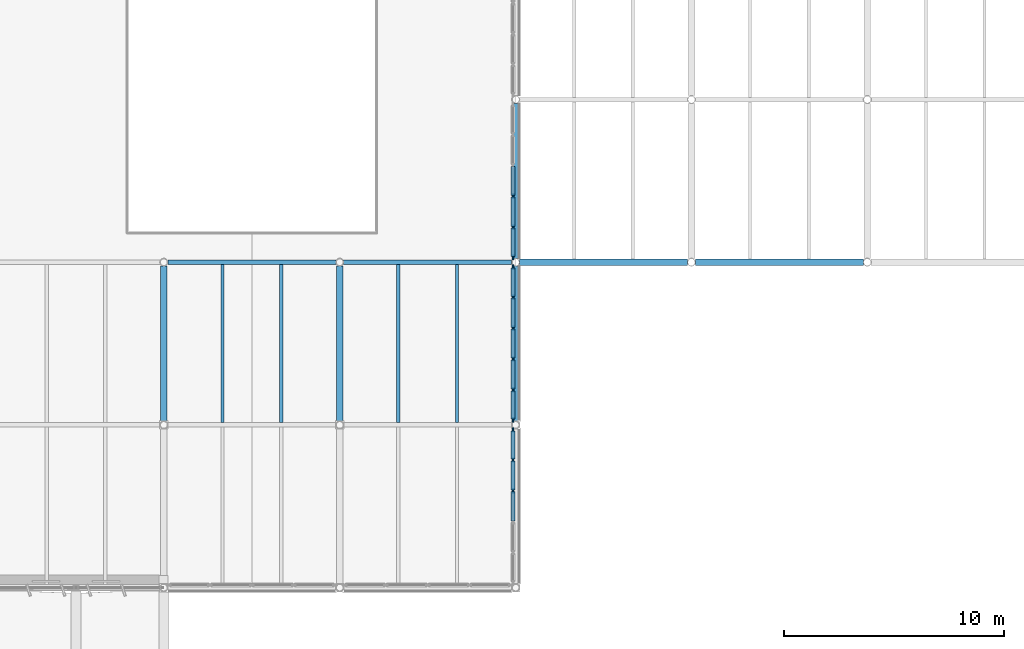
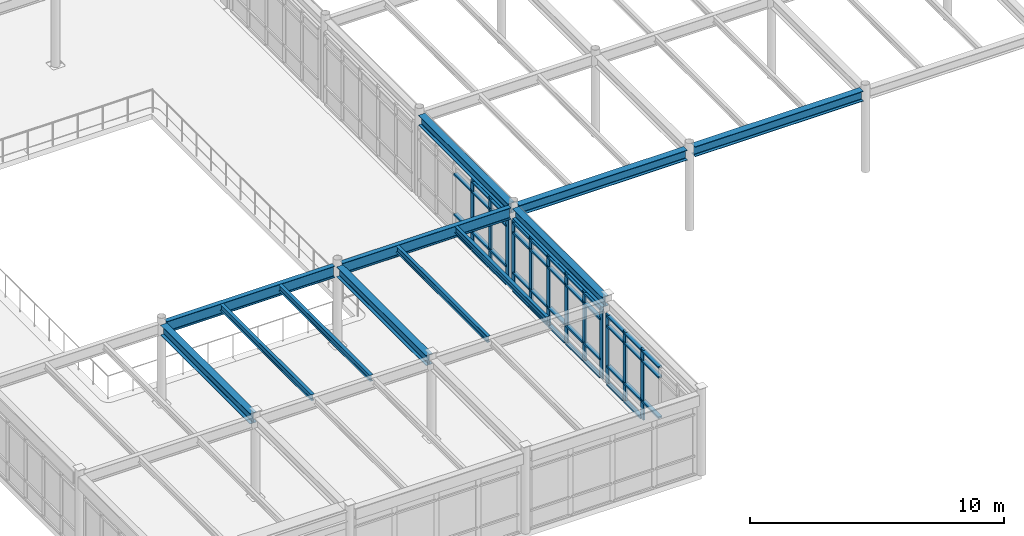
# One storey, part 22 of 63: 54 members, 12 beams, 3 elements without a shape of their own.
"""IFC4 building model written with IfcOpenShell, lengths in metres."""

from ifc_helpers import new_model, si_unit, direction, frame, origin, origin_2d, place, context, subcontext, project, spatial, rectangle, i_section, extrude, material, layer, layer_set, material_profile, profile_set, type_object, element, aggregate, save


model = new_model("IFC4")

# Units and contexts
model_context = context("Model", 3, precision=1e-05, world=origin(), true_north=direction((0.0, 1.0)))
body_context = subcontext(model_context, "Body", "Model", "MODEL_VIEW")
ifc_project = project(units=[si_unit("LENGTHUNIT", "METRE"), si_unit("AREAUNIT", "SQUARE_METRE"), si_unit("VOLUMEUNIT", "CUBIC_METRE"), si_unit("PLANEANGLEUNIT", "RADIAN"), si_unit("MASSUNIT", "GRAM", prefix="KILO")], contexts=[model_context])

# Site, building, storey
site_placement = place(None, origin())
site = spatial("IfcSite", under=ifc_project, at=site_placement, CompositionType="ELEMENT")
building_placement = place(site_placement, origin())
building = spatial("IfcBuilding", under=site, at=building_placement, Name="Valkorina Park Police Headquarters", CompositionType="ELEMENT")
storey_placement = place(building_placement, frame((0.0, 0.0, 9.89990234375)))
storey = spatial("IfcBuildingStorey", under=building, at=storey_placement, Name="L03", CompositionType="ELEMENT", Elevation=9.89990234375)

# Beams
ifc_material_1 = material(Name="Steel S355", Category="steel")
ifc_material_profile_1 = material_profile(ifc_material_1, i_section(OverallWidth=0.300048828125, OverallDepth=0.489990234375, WebThickness=0.011962890625, FlangeThickness=0.02294921875, FilletRadius=0.027099609375, at=origin_2d()), Name="HEA 500")
ifc_profile_set_1 = profile_set([ifc_material_profile_1], Name="Steel S355")
beam_type_1 = type_object("IfcBeamType", Name="BM-S355-HEA500-BM", PredefinedType="BEAM", material=ifc_profile_set_1)
for number, where, z_axis, x_axis, name in (
    (1, (64.800048828125, 29.77783203125, 3.675048828125), (0.0, 1.0, 0.0), (-1.0, 0.0, 0.0), "L03 Framing Beam 2014"),
    (2, (72.800048828125, 29.77783203125, 3.675048828125), (0.0, 1.0, 0.0), (-1.0, 0.0, 0.0), "L03 Framing Beam 2029"),
    (3, (80.800048828125, 37.177734375, 3.675048828125), (0.0, 1.0, 0.0), (-1.0, 0.0, 0.0), "L03 Framing Beam 2043"),
):
    element("IfcBeam", number, at=place(storey_placement, frame(where, z_axis=z_axis, x_axis=x_axis)), inside=storey, type_object=beam_type_1, Name=name, PredefinedType="BEAM", context=body_context, shape_type="SweptSolid", body=[
        extrude(i_section(OverallWidth=0.300048828125, OverallDepth=0.489990234375, WebThickness=0.011962890625, FlangeThickness=0.02294921875, FilletRadius=0.027099609375, at=origin_2d()), origin(), (0.0, 0.0, 1.0), 7.04443359375),
    ])
ifc_material_profile_2 = material_profile(ifc_material_1, i_section(OverallWidth=0.300048828125, OverallDepth=0.489990234375, WebThickness=0.011962890625, FlangeThickness=0.02294921875, FilletRadius=0.027099609375, at=origin_2d()), Name="HEA 500")
ifc_profile_set_2 = profile_set([ifc_material_profile_2], Name="Steel S355")
beam_type_2 = type_object("IfcBeamType", Name="BM-S355-HEA500-SPN", PredefinedType="SPANDREL", material=ifc_profile_set_2)
for number, where, z_axis, x_axis, name in (
    (4, (80.977783203125, 37.0, 3.675048828125), (1.0, 0.0, 0.0), (0.0, 1.0, 0.0), "L03 Framing Beam 1862"),
    (5, (88.977783203125, 37.0, 3.710205078125), (1.0, 0.0, 0.0), (0.0, 1.0, 0.0), "L03 Framing Beam 1863"),
):
    element("IfcBeam", number, at=place(storey_placement, frame(where, z_axis=z_axis, x_axis=x_axis)), inside=storey, type_object=beam_type_2, Name=name, PredefinedType="SPANDREL", context=body_context, shape_type="SweptSolid", body=[
        extrude(i_section(OverallWidth=0.300048828125, OverallDepth=0.489990234375, WebThickness=0.011962890625, FlangeThickness=0.02294921875, FilletRadius=0.027099609375, at=origin_2d()), origin(), (0.0, 0.0, 1.0), 7.64453125),
    ])
beam_placement = place(storey_placement, frame((80.800048828125, 29.77783203125, 3.675048828125), z_axis=(0.0, 1.0, 0.0), x_axis=(-1.0, 0.0, 0.0)))
element("IfcBeam", 6, at=beam_placement, inside=storey, type_object=beam_type_2, Name="L03 Framing Beam 2042", PredefinedType="SPANDREL", context=body_context, shape_type="SweptSolid", body=[
    extrude(i_section(OverallWidth=0.300048828125, OverallDepth=0.489990234375, WebThickness=0.011962890625, FlangeThickness=0.02294921875, FilletRadius=0.027099609375, at=origin_2d()), origin(), (0.0, 0.0, 1.0), 7.04443359375),
])
ifc_material_profile_3 = material_profile(ifc_material_1, i_section(OverallWidth=0.14990234375, OverallDepth=0.300048828125, WebThickness=0.007080078125, FlangeThickness=0.0107421875, FilletRadius=0.014892578125, at=origin_2d()), Name="IPE 300")
ifc_profile_set_3 = profile_set([ifc_material_profile_3], Name="Steel S355")
beam_type_3 = type_object("IfcBeamType", Name="BM-S355-IPE300-JST", PredefinedType="JOIST", material=ifc_profile_set_3)
for number, where, z_axis, x_axis, name in (
    (7, (67.466796875, 29.705078125, 3.77001953125), (0.0, 1.0, 0.0), (-1.0, 0.0, 0.0), "L03 Framing Beam 2015"),
    (8, (70.13330078125, 29.705078125, 3.77001953125), (0.0, 1.0, 0.0), (-1.0, 0.0, 0.0), "L03 Framing Beam 2016"),
    (9, (75.466796875, 29.705078125, 3.77001953125), (0.0, 1.0, 0.0), (-1.0, 0.0, 0.0), "L03 Framing Beam 2030"),
    (10, (78.13330078125, 29.705078125, 3.77001953125), (0.0, 1.0, 0.0), (-1.0, 0.0, 0.0), "L03 Framing Beam 2031"),
):
    element("IfcBeam", number, at=place(storey_placement, frame(where, z_axis=z_axis, x_axis=x_axis)), inside=storey, type_object=beam_type_3, Name=name, PredefinedType="JOIST", context=body_context, shape_type="SweptSolid", body=[
        extrude(i_section(OverallWidth=0.14990234375, OverallDepth=0.300048828125, WebThickness=0.007080078125, FlangeThickness=0.0107421875, FilletRadius=0.014892578125, at=origin_2d()), origin(), (0.0, 0.0, 1.0), 7.18994140625),
    ])
ifc_material_profile_4 = material_profile(ifc_material_1, i_section(OverallWidth=0.2099609375, OverallDepth=0.550048828125, WebThickness=0.010986328125, FlangeThickness=0.01708984375, FilletRadius=0.02392578125, at=origin_2d()), Name="IPE 550")
ifc_profile_set_4 = profile_set([ifc_material_profile_4], Name="Steel S355")
beam_type_4 = type_object("IfcBeamType", Name="BM-S355-IPE550-BM", PredefinedType="BEAM", material=ifc_profile_set_4)
for number, where, z_axis, x_axis, name in (
    (11, (64.977783203125, 37.0, 3.64501953125), (1.0, 0.0, 0.0), (0.0, 1.0, 0.0), "L03 Framing Beam 1860"),
    (12, (72.977783203125, 37.0, 3.64501953125), (1.0, 0.0, 0.0), (0.0, 1.0, 0.0), "L03 Framing Beam 1861"),
):
    element("IfcBeam", number, at=place(storey_placement, frame(where, z_axis=z_axis, x_axis=x_axis)), inside=storey, type_object=beam_type_4, Name=name, PredefinedType="BEAM", context=body_context, shape_type="SweptSolid", body=[
        extrude(i_section(OverallWidth=0.2099609375, OverallDepth=0.550048828125, WebThickness=0.010986328125, FlangeThickness=0.01708984375, FilletRadius=0.02392578125, at=origin_2d()), origin(), (0.0, 0.0, 1.0), 7.64453125),
    ])

# Curtain wall, members
ifc_material_2 = material(Name="Thermally broken aluminium AW-6060", Category="aluminium")
ifc_layer = layer(ifc_material_2, 0.18994140625)
ifc_layer_set = layer_set([ifc_layer], Name="Thermally broken aluminium AW-6060")
curtain_wall_type = type_object("IfcCurtainWallType", Name="CW-V4-7020x3360", PredefinedType="NOTDEFINED", material=ifc_layer_set)
curtain_wall_1_placement = place(storey_placement, origin())
curtain_wall_1 = element("IfcCurtainWall", 13, at=curtain_wall_1_placement, inside=storey, type_object=curtain_wall_type, Name="L03 Unitised Curtain Wall 022", PredefinedType="NOTDEFINED")
ifc_material_profile_5 = material_profile(ifc_material_2, rectangle(XDim=0.080078125, YDim=0.219970703125, at=origin_2d()), Name="CWM-03 80x220")
ifc_profile_set_5 = profile_set([ifc_material_profile_5], Name="Thermally broken aluminium AW-6060")
member_type_1 = type_object("IfcMemberType", Name="CWM-80x220", PredefinedType="MULLION", material=ifc_profile_set_5)
member_1_placement = place(storey_placement, frame((80.679931640625, 39.99755859375, 0.0), z_axis=(0.0, 0.0, 1.0), x_axis=(1.0, 0.0, 0.0)))
member_1 = element("IfcMember", 14, at=member_1_placement, type_object=member_type_1, Name="CW-V4-702-336 mullion 4", PredefinedType="MULLION", context=body_context, shape_type="SweptSolid", body=[
    extrude(rectangle(XDim=0.080078125, YDim=0.219970703125, at=origin_2d()), origin(), (0.0, 0.0, 1.0), 3.360107421875),
])
member_2_placement = place(storey_placement, frame((80.679931640625, 38.5927734375, 0.0), z_axis=(0.0, 0.0, 1.0), x_axis=(1.0, 0.0, 0.0)))
member_2 = element("IfcMember", 15, at=member_2_placement, type_object=member_type_1, Name="CW-V4-702-336 mullion 5", PredefinedType="MULLION", context=body_context, shape_type="SweptSolid", body=[
    extrude(rectangle(XDim=0.080078125, YDim=0.219970703125, at=origin_2d()), origin(), (0.0, 0.0, 1.0), 3.360107421875),
])
member_3_placement = place(storey_placement, frame((80.679931640625, 37.227783203125, 0.0), z_axis=(0.0, 0.0, 1.0), x_axis=(1.0, 0.0, 0.0)))
member_3 = element("IfcMember", 16, at=member_3_placement, type_object=member_type_1, Name="CW-V4-702-336 mullion 6", PredefinedType="MULLION", context=body_context, shape_type="SweptSolid", body=[
    extrude(rectangle(XDim=0.080078125, YDim=0.219970703125, at=origin_2d()), origin(), (0.0, 0.0, 1.0), 3.360107421875),
])

curtain_wall_2_placement = place(storey_placement, origin())
curtain_wall_2 = element("IfcCurtainWall", 17, at=curtain_wall_2_placement, inside=storey, type_object=curtain_wall_type, Name="L03 Unitised Curtain Wall 023", PredefinedType="NOTDEFINED")
member_4_placement = place(storey_placement, frame((80.679931640625, 36.772216796875, 0.0), z_axis=(0.0, 0.0, 1.0), x_axis=(1.0, 0.0, 0.0)))
member_4 = element("IfcMember", 18, at=member_4_placement, type_object=member_type_1, Name="CW-V4-702-336 mullion 1", PredefinedType="MULLION", context=body_context, shape_type="SweptSolid", body=[
    extrude(rectangle(XDim=0.080078125, YDim=0.219970703125, at=origin_2d()), origin(), (0.0, 0.0, 1.0), 3.360107421875),
])
member_5_placement = place(storey_placement, frame((80.679931640625, 35.4072265625, 0.0), z_axis=(0.0, 0.0, 1.0), x_axis=(1.0, 0.0, 0.0)))
member_5 = element("IfcMember", 19, at=member_5_placement, type_object=member_type_1, Name="CW-V4-702-336 mullion 2", PredefinedType="MULLION", context=body_context, shape_type="SweptSolid", body=[
    extrude(rectangle(XDim=0.080078125, YDim=0.219970703125, at=origin_2d()), origin(), (0.0, 0.0, 1.0), 3.360107421875),
])
member_6_placement = place(storey_placement, frame((80.679931640625, 34.00244140625, 0.0), z_axis=(0.0, 0.0, 1.0), x_axis=(1.0, 0.0, 0.0)))
member_6 = element("IfcMember", 20, at=member_6_placement, type_object=member_type_1, Name="CW-V4-702-336 mullion 3", PredefinedType="MULLION", context=body_context, shape_type="SweptSolid", body=[
    extrude(rectangle(XDim=0.080078125, YDim=0.219970703125, at=origin_2d()), origin(), (0.0, 0.0, 1.0), 3.360107421875),
])
member_7_placement = place(storey_placement, frame((80.679931640625, 32.59765625, 0.0), z_axis=(0.0, 0.0, 1.0), x_axis=(1.0, 0.0, 0.0)))
member_7 = element("IfcMember", 21, at=member_7_placement, type_object=member_type_1, Name="CW-V4-702-336 mullion 4", PredefinedType="MULLION", context=body_context, shape_type="SweptSolid", body=[
    extrude(rectangle(XDim=0.080078125, YDim=0.219970703125, at=origin_2d()), origin(), (0.0, 0.0, 1.0), 3.360107421875),
])
member_8_placement = place(storey_placement, frame((80.679931640625, 31.192626953125, 0.0), z_axis=(0.0, 0.0, 1.0), x_axis=(1.0, 0.0, 0.0)))
member_8 = element("IfcMember", 22, at=member_8_placement, type_object=member_type_1, Name="CW-V4-702-336 mullion 5", PredefinedType="MULLION", context=body_context, shape_type="SweptSolid", body=[
    extrude(rectangle(XDim=0.080078125, YDim=0.219970703125, at=origin_2d()), origin(), (0.0, 0.0, 1.0), 3.360107421875),
])
member_9_placement = place(storey_placement, frame((80.679931640625, 29.827880859375, 0.0), z_axis=(0.0, 0.0, 1.0), x_axis=(1.0, 0.0, 0.0)))
member_9 = element("IfcMember", 23, at=member_9_placement, type_object=member_type_1, Name="CW-V4-702-336 mullion 6", PredefinedType="MULLION", context=body_context, shape_type="SweptSolid", body=[
    extrude(rectangle(XDim=0.080078125, YDim=0.219970703125, at=origin_2d()), origin(), (0.0, 0.0, 1.0), 3.360107421875),
])

curtain_wall_3_placement = place(storey_placement, origin())
curtain_wall_3 = element("IfcCurtainWall", 24, at=curtain_wall_3_placement, inside=storey, type_object=curtain_wall_type, Name="L03 Unitised Curtain Wall 024", PredefinedType="NOTDEFINED")
member_10_placement = place(storey_placement, frame((80.679931640625, 29.372314453125, 0.0), z_axis=(0.0, 0.0, 1.0), x_axis=(1.0, 0.0, 0.0)))
member_10 = element("IfcMember", 25, at=member_10_placement, type_object=member_type_1, Name="CW-V4-702-336 mullion 1", PredefinedType="MULLION", context=body_context, shape_type="SweptSolid", body=[
    extrude(rectangle(XDim=0.080078125, YDim=0.219970703125, at=origin_2d()), origin(), (0.0, 0.0, 1.0), 3.360107421875),
])
member_11_placement = place(storey_placement, frame((80.679931640625, 28.00732421875, 0.0), z_axis=(0.0, 0.0, 1.0), x_axis=(1.0, 0.0, 0.0)))
member_11 = element("IfcMember", 26, at=member_11_placement, type_object=member_type_1, Name="CW-V4-702-336 mullion 2", PredefinedType="MULLION", context=body_context, shape_type="SweptSolid", body=[
    extrude(rectangle(XDim=0.080078125, YDim=0.219970703125, at=origin_2d()), origin(), (0.0, 0.0, 1.0), 3.360107421875),
])
member_12_placement = place(storey_placement, frame((80.679931640625, 26.6025390625, 0.0), z_axis=(0.0, 0.0, 1.0), x_axis=(1.0, 0.0, 0.0)))
member_12 = element("IfcMember", 27, at=member_12_placement, type_object=member_type_1, Name="CW-V4-702-336 mullion 3", PredefinedType="MULLION", context=body_context, shape_type="SweptSolid", body=[
    extrude(rectangle(XDim=0.080078125, YDim=0.219970703125, at=origin_2d()), origin(), (0.0, 0.0, 1.0), 3.360107421875),
])

# Member
ifc_material_profile_6 = material_profile(ifc_material_2, rectangle(XDim=0.179931640625, YDim=0.080078125, at=origin_2d()), Name="CWT-03 180x80")
ifc_profile_set_6 = profile_set([ifc_material_profile_6], Name="Thermally broken aluminium AW-6060")
member_type_2 = type_object("IfcMemberType", Name="CWT-180x80", PredefinedType="USERDEFINED", material=ifc_profile_set_6)
member_13_placement = place(storey_placement, frame((80.679931640625, 41.362548828125, 0.0400390625), z_axis=(0.0, -1.0, 0.0), x_axis=(1.0, 0.0, 0.0)))
member_13 = element("IfcMember", 28, at=member_13_placement, type_object=member_type_2, Name="CW-V4-702-336 transom 3.1", ObjectType="TRANSOM", PredefinedType="USERDEFINED", context=body_context, shape_type="SweptSolid", body=[
    extrude(rectangle(XDim=0.179931640625, YDim=0.080078125, at=origin_2d()), origin(), (0.0, 0.0, 1.0), 1.324951171875),
])

member_14_placement = place(storey_placement, frame((80.679931640625, 41.362548828125, 0.900146484375), z_axis=(0.0, -1.0, 0.0), x_axis=(1.0, 0.0, 0.0)))
member_14 = element("IfcMember", 29, at=member_14_placement, type_object=member_type_2, Name="CW-V4-702-336 transom 3.2", ObjectType="TRANSOM", PredefinedType="USERDEFINED", context=body_context, shape_type="SweptSolid", body=[
    extrude(rectangle(XDim=0.179931640625, YDim=0.080078125, at=origin_2d()), origin(), (0.0, 0.0, 1.0), 1.324951171875),
])

member_15_placement = place(storey_placement, frame((80.679931640625, 41.362548828125, 2.840087890625), z_axis=(0.0, -1.0, 0.0), x_axis=(1.0, 0.0, 0.0)))
member_15 = element("IfcMember", 30, at=member_15_placement, type_object=member_type_2, Name="CW-V4-702-336 transom 3.3", ObjectType="TRANSOM", PredefinedType="USERDEFINED", context=body_context, shape_type="SweptSolid", body=[
    extrude(rectangle(XDim=0.179931640625, YDim=0.080078125, at=origin_2d()), origin(), (0.0, 0.0, 1.0), 1.324951171875),
])

member_16_placement = place(storey_placement, frame((80.679931640625, 39.95751953125, 0.0400390625), z_axis=(0.0, -1.0, 0.0), x_axis=(1.0, 0.0, 0.0)))
member_16 = element("IfcMember", 31, at=member_16_placement, type_object=member_type_2, Name="CW-V4-702-336 transom 4.1", ObjectType="TRANSOM", PredefinedType="USERDEFINED", context=body_context, shape_type="SweptSolid", body=[
    extrude(rectangle(XDim=0.179931640625, YDim=0.080078125, at=origin_2d()), origin(), (0.0, 0.0, 1.0), 1.324951171875),
])

member_17_placement = place(storey_placement, frame((80.679931640625, 39.95751953125, 0.900146484375), z_axis=(0.0, -1.0, 0.0), x_axis=(1.0, 0.0, 0.0)))
member_17 = element("IfcMember", 32, at=member_17_placement, type_object=member_type_2, Name="CW-V4-702-336 transom 4.2", ObjectType="TRANSOM", PredefinedType="USERDEFINED", context=body_context, shape_type="SweptSolid", body=[
    extrude(rectangle(XDim=0.179931640625, YDim=0.080078125, at=origin_2d()), origin(), (0.0, 0.0, 1.0), 1.324951171875),
])

member_18_placement = place(storey_placement, frame((80.679931640625, 39.95751953125, 2.840087890625), z_axis=(0.0, -1.0, 0.0), x_axis=(1.0, 0.0, 0.0)))
member_18 = element("IfcMember", 33, at=member_18_placement, type_object=member_type_2, Name="CW-V4-702-336 transom 4.3", ObjectType="TRANSOM", PredefinedType="USERDEFINED", context=body_context, shape_type="SweptSolid", body=[
    extrude(rectangle(XDim=0.179931640625, YDim=0.080078125, at=origin_2d()), origin(), (0.0, 0.0, 1.0), 1.324951171875),
])

member_19_placement = place(storey_placement, frame((80.679931640625, 39.95751953125, 3.320068359375), z_axis=(0.0, -1.0, 0.0), x_axis=(1.0, 0.0, 0.0)))
member_19 = element("IfcMember", 34, at=member_19_placement, type_object=member_type_2, Name="CW-V4-702-336 transom 4.4", ObjectType="TRANSOM", PredefinedType="USERDEFINED", context=body_context, shape_type="SweptSolid", body=[
    extrude(rectangle(XDim=0.179931640625, YDim=0.080078125, at=origin_2d()), origin(), (0.0, 0.0, 1.0), 1.324951171875),
])

member_20_placement = place(storey_placement, frame((80.679931640625, 38.552734375, 0.0400390625), z_axis=(0.0, -1.0, 0.0), x_axis=(1.0, 0.0, 0.0)))
member_20 = element("IfcMember", 35, at=member_20_placement, type_object=member_type_2, Name="CW-V4-702-336 transom 5.1", ObjectType="TRANSOM", PredefinedType="USERDEFINED", context=body_context, shape_type="SweptSolid", body=[
    extrude(rectangle(XDim=0.179931640625, YDim=0.080078125, at=origin_2d()), origin(), (0.0, 0.0, 1.0), 1.284912109375),
])

member_21_placement = place(storey_placement, frame((80.679931640625, 38.552734375, 0.900146484375), z_axis=(0.0, -1.0, 0.0), x_axis=(1.0, 0.0, 0.0)))
member_21 = element("IfcMember", 36, at=member_21_placement, type_object=member_type_2, Name="CW-V4-702-336 transom 5.2", ObjectType="TRANSOM", PredefinedType="USERDEFINED", context=body_context, shape_type="SweptSolid", body=[
    extrude(rectangle(XDim=0.179931640625, YDim=0.080078125, at=origin_2d()), origin(), (0.0, 0.0, 1.0), 1.284912109375),
])

member_22_placement = place(storey_placement, frame((80.679931640625, 38.552734375, 2.840087890625), z_axis=(0.0, -1.0, 0.0), x_axis=(1.0, 0.0, 0.0)))
member_22 = element("IfcMember", 37, at=member_22_placement, type_object=member_type_2, Name="CW-V4-702-336 transom 5.3", ObjectType="TRANSOM", PredefinedType="USERDEFINED", context=body_context, shape_type="SweptSolid", body=[
    extrude(rectangle(XDim=0.179931640625, YDim=0.080078125, at=origin_2d()), origin(), (0.0, 0.0, 1.0), 1.284912109375),
])

member_23_placement = place(storey_placement, frame((80.679931640625, 38.552734375, 3.320068359375), z_axis=(0.0, -1.0, 0.0), x_axis=(1.0, 0.0, 0.0)))
member_23 = element("IfcMember", 38, at=member_23_placement, type_object=member_type_2, Name="CW-V4-702-336 transom 5.4", ObjectType="TRANSOM", PredefinedType="USERDEFINED", context=body_context, shape_type="SweptSolid", body=[
    extrude(rectangle(XDim=0.179931640625, YDim=0.080078125, at=origin_2d()), origin(), (0.0, 0.0, 1.0), 1.284912109375),
])

aggregate(curtain_wall_1, [member_1, member_2, member_3, member_13, member_14, member_15, member_16, member_17, member_18, member_19, member_20, member_21, member_22, member_23])

member_24_placement = place(storey_placement, frame((80.679931640625, 36.732177734375, 0.0400390625), z_axis=(0.0, -1.0, 0.0), x_axis=(1.0, 0.0, 0.0)))
member_24 = element("IfcMember", 39, at=member_24_placement, type_object=member_type_2, Name="CW-V4-702-336 transom 1.1", ObjectType="TRANSOM", PredefinedType="USERDEFINED", context=body_context, shape_type="SweptSolid", body=[
    extrude(rectangle(XDim=0.179931640625, YDim=0.080078125, at=origin_2d()), origin(), (0.0, 0.0, 1.0), 1.284912109375),
])

member_25_placement = place(storey_placement, frame((80.679931640625, 36.732177734375, 0.900146484375), z_axis=(0.0, -1.0, 0.0), x_axis=(1.0, 0.0, 0.0)))
member_25 = element("IfcMember", 40, at=member_25_placement, type_object=member_type_2, Name="CW-V4-702-336 transom 1.2", ObjectType="TRANSOM", PredefinedType="USERDEFINED", context=body_context, shape_type="SweptSolid", body=[
    extrude(rectangle(XDim=0.179931640625, YDim=0.080078125, at=origin_2d()), origin(), (0.0, 0.0, 1.0), 1.284912109375),
])

member_26_placement = place(storey_placement, frame((80.679931640625, 36.732177734375, 2.840087890625), z_axis=(0.0, -1.0, 0.0), x_axis=(1.0, 0.0, 0.0)))
member_26 = element("IfcMember", 41, at=member_26_placement, type_object=member_type_2, Name="CW-V4-702-336 transom 1.3", ObjectType="TRANSOM", PredefinedType="USERDEFINED", context=body_context, shape_type="SweptSolid", body=[
    extrude(rectangle(XDim=0.179931640625, YDim=0.080078125, at=origin_2d()), origin(), (0.0, 0.0, 1.0), 1.284912109375),
])

member_27_placement = place(storey_placement, frame((80.679931640625, 36.732177734375, 3.320068359375), z_axis=(0.0, -1.0, 0.0), x_axis=(1.0, 0.0, 0.0)))
member_27 = element("IfcMember", 42, at=member_27_placement, type_object=member_type_2, Name="CW-V4-702-336 transom 1.4", ObjectType="TRANSOM", PredefinedType="USERDEFINED", context=body_context, shape_type="SweptSolid", body=[
    extrude(rectangle(XDim=0.179931640625, YDim=0.080078125, at=origin_2d()), origin(), (0.0, 0.0, 1.0), 1.284912109375),
])

member_28_placement = place(storey_placement, frame((80.679931640625, 35.367431640625, 0.0400390625), z_axis=(0.0, -1.0, 0.0), x_axis=(1.0, 0.0, 0.0)))
member_28 = element("IfcMember", 43, at=member_28_placement, type_object=member_type_2, Name="CW-V4-702-336 transom 2.1", ObjectType="TRANSOM", PredefinedType="USERDEFINED", context=body_context, shape_type="SweptSolid", body=[
    extrude(rectangle(XDim=0.179931640625, YDim=0.080078125, at=origin_2d()), origin(), (0.0, 0.0, 1.0), 1.324951171875),
])

member_29_placement = place(storey_placement, frame((80.679931640625, 35.367431640625, 0.900146484375), z_axis=(0.0, -1.0, 0.0), x_axis=(1.0, 0.0, 0.0)))
member_29 = element("IfcMember", 44, at=member_29_placement, type_object=member_type_2, Name="CW-V4-702-336 transom 2.2", ObjectType="TRANSOM", PredefinedType="USERDEFINED", context=body_context, shape_type="SweptSolid", body=[
    extrude(rectangle(XDim=0.179931640625, YDim=0.080078125, at=origin_2d()), origin(), (0.0, 0.0, 1.0), 1.324951171875),
])

member_30_placement = place(storey_placement, frame((80.679931640625, 35.367431640625, 2.840087890625), z_axis=(0.0, -1.0, 0.0), x_axis=(1.0, 0.0, 0.0)))
member_30 = element("IfcMember", 45, at=member_30_placement, type_object=member_type_2, Name="CW-V4-702-336 transom 2.3", ObjectType="TRANSOM", PredefinedType="USERDEFINED", context=body_context, shape_type="SweptSolid", body=[
    extrude(rectangle(XDim=0.179931640625, YDim=0.080078125, at=origin_2d()), origin(), (0.0, 0.0, 1.0), 1.324951171875),
])

member_31_placement = place(storey_placement, frame((80.679931640625, 35.367431640625, 3.320068359375), z_axis=(0.0, -1.0, 0.0), x_axis=(1.0, 0.0, 0.0)))
member_31 = element("IfcMember", 46, at=member_31_placement, type_object=member_type_2, Name="CW-V4-702-336 transom 2.4", ObjectType="TRANSOM", PredefinedType="USERDEFINED", context=body_context, shape_type="SweptSolid", body=[
    extrude(rectangle(XDim=0.179931640625, YDim=0.080078125, at=origin_2d()), origin(), (0.0, 0.0, 1.0), 1.324951171875),
])

member_32_placement = place(storey_placement, frame((80.679931640625, 33.96240234375, 0.0400390625), z_axis=(0.0, -1.0, 0.0), x_axis=(1.0, 0.0, 0.0)))
member_32 = element("IfcMember", 47, at=member_32_placement, type_object=member_type_2, Name="CW-V4-702-336 transom 3.1", ObjectType="TRANSOM", PredefinedType="USERDEFINED", context=body_context, shape_type="SweptSolid", body=[
    extrude(rectangle(XDim=0.179931640625, YDim=0.080078125, at=origin_2d()), origin(), (0.0, 0.0, 1.0), 1.324951171875),
])

member_33_placement = place(storey_placement, frame((80.679931640625, 33.96240234375, 0.900146484375), z_axis=(0.0, -1.0, 0.0), x_axis=(1.0, 0.0, 0.0)))
member_33 = element("IfcMember", 48, at=member_33_placement, type_object=member_type_2, Name="CW-V4-702-336 transom 3.2", ObjectType="TRANSOM", PredefinedType="USERDEFINED", context=body_context, shape_type="SweptSolid", body=[
    extrude(rectangle(XDim=0.179931640625, YDim=0.080078125, at=origin_2d()), origin(), (0.0, 0.0, 1.0), 1.324951171875),
])

member_34_placement = place(storey_placement, frame((80.679931640625, 33.96240234375, 2.840087890625), z_axis=(0.0, -1.0, 0.0), x_axis=(1.0, 0.0, 0.0)))
member_34 = element("IfcMember", 49, at=member_34_placement, type_object=member_type_2, Name="CW-V4-702-336 transom 3.3", ObjectType="TRANSOM", PredefinedType="USERDEFINED", context=body_context, shape_type="SweptSolid", body=[
    extrude(rectangle(XDim=0.179931640625, YDim=0.080078125, at=origin_2d()), origin(), (0.0, 0.0, 1.0), 1.324951171875),
])

member_35_placement = place(storey_placement, frame((80.679931640625, 33.96240234375, 3.320068359375), z_axis=(0.0, -1.0, 0.0), x_axis=(1.0, 0.0, 0.0)))
member_35 = element("IfcMember", 50, at=member_35_placement, type_object=member_type_2, Name="CW-V4-702-336 transom 3.4", ObjectType="TRANSOM", PredefinedType="USERDEFINED", context=body_context, shape_type="SweptSolid", body=[
    extrude(rectangle(XDim=0.179931640625, YDim=0.080078125, at=origin_2d()), origin(), (0.0, 0.0, 1.0), 1.324951171875),
])

member_36_placement = place(storey_placement, frame((80.679931640625, 32.5576171875, 0.0400390625), z_axis=(0.0, -1.0, 0.0), x_axis=(1.0, 0.0, 0.0)))
member_36 = element("IfcMember", 51, at=member_36_placement, type_object=member_type_2, Name="CW-V4-702-336 transom 4.1", ObjectType="TRANSOM", PredefinedType="USERDEFINED", context=body_context, shape_type="SweptSolid", body=[
    extrude(rectangle(XDim=0.179931640625, YDim=0.080078125, at=origin_2d()), origin(), (0.0, 0.0, 1.0), 1.324951171875),
])

member_37_placement = place(storey_placement, frame((80.679931640625, 32.5576171875, 0.900146484375), z_axis=(0.0, -1.0, 0.0), x_axis=(1.0, 0.0, 0.0)))
member_37 = element("IfcMember", 52, at=member_37_placement, type_object=member_type_2, Name="CW-V4-702-336 transom 4.2", ObjectType="TRANSOM", PredefinedType="USERDEFINED", context=body_context, shape_type="SweptSolid", body=[
    extrude(rectangle(XDim=0.179931640625, YDim=0.080078125, at=origin_2d()), origin(), (0.0, 0.0, 1.0), 1.324951171875),
])

member_38_placement = place(storey_placement, frame((80.679931640625, 32.5576171875, 2.840087890625), z_axis=(0.0, -1.0, 0.0), x_axis=(1.0, 0.0, 0.0)))
member_38 = element("IfcMember", 53, at=member_38_placement, type_object=member_type_2, Name="CW-V4-702-336 transom 4.3", ObjectType="TRANSOM", PredefinedType="USERDEFINED", context=body_context, shape_type="SweptSolid", body=[
    extrude(rectangle(XDim=0.179931640625, YDim=0.080078125, at=origin_2d()), origin(), (0.0, 0.0, 1.0), 1.324951171875),
])

member_39_placement = place(storey_placement, frame((80.679931640625, 32.5576171875, 3.320068359375), z_axis=(0.0, -1.0, 0.0), x_axis=(1.0, 0.0, 0.0)))
member_39 = element("IfcMember", 54, at=member_39_placement, type_object=member_type_2, Name="CW-V4-702-336 transom 4.4", ObjectType="TRANSOM", PredefinedType="USERDEFINED", context=body_context, shape_type="SweptSolid", body=[
    extrude(rectangle(XDim=0.179931640625, YDim=0.080078125, at=origin_2d()), origin(), (0.0, 0.0, 1.0), 1.324951171875),
])

member_40_placement = place(storey_placement, frame((80.679931640625, 31.152587890625, 0.0400390625), z_axis=(0.0, -1.0, 0.0), x_axis=(1.0, 0.0, 0.0)))
member_40 = element("IfcMember", 55, at=member_40_placement, type_object=member_type_2, Name="CW-V4-702-336 transom 5.1", ObjectType="TRANSOM", PredefinedType="USERDEFINED", context=body_context, shape_type="SweptSolid", body=[
    extrude(rectangle(XDim=0.179931640625, YDim=0.080078125, at=origin_2d()), origin(), (0.0, 0.0, 1.0), 1.28466796875),
])

member_41_placement = place(storey_placement, frame((80.679931640625, 31.152587890625, 0.900146484375), z_axis=(0.0, -1.0, 0.0), x_axis=(1.0, 0.0, 0.0)))
member_41 = element("IfcMember", 56, at=member_41_placement, type_object=member_type_2, Name="CW-V4-702-336 transom 5.2", ObjectType="TRANSOM", PredefinedType="USERDEFINED", context=body_context, shape_type="SweptSolid", body=[
    extrude(rectangle(XDim=0.179931640625, YDim=0.080078125, at=origin_2d()), origin(), (0.0, 0.0, 1.0), 1.28466796875),
])

member_42_placement = place(storey_placement, frame((80.679931640625, 31.152587890625, 2.840087890625), z_axis=(0.0, -1.0, 0.0), x_axis=(1.0, 0.0, 0.0)))
member_42 = element("IfcMember", 57, at=member_42_placement, type_object=member_type_2, Name="CW-V4-702-336 transom 5.3", ObjectType="TRANSOM", PredefinedType="USERDEFINED", context=body_context, shape_type="SweptSolid", body=[
    extrude(rectangle(XDim=0.179931640625, YDim=0.080078125, at=origin_2d()), origin(), (0.0, 0.0, 1.0), 1.28466796875),
])

member_43_placement = place(storey_placement, frame((80.679931640625, 31.152587890625, 3.320068359375), z_axis=(0.0, -1.0, 0.0), x_axis=(1.0, 0.0, 0.0)))
member_43 = element("IfcMember", 58, at=member_43_placement, type_object=member_type_2, Name="CW-V4-702-336 transom 5.4", ObjectType="TRANSOM", PredefinedType="USERDEFINED", context=body_context, shape_type="SweptSolid", body=[
    extrude(rectangle(XDim=0.179931640625, YDim=0.080078125, at=origin_2d()), origin(), (0.0, 0.0, 1.0), 1.28466796875),
])

aggregate(curtain_wall_2, [member_4, member_5, member_6, member_7, member_8, member_9, member_24, member_25, member_26, member_27, member_28, member_29, member_30, member_31, member_32, member_33, member_34, member_35, member_36, member_37, member_38, member_39, member_40, member_41, member_42, member_43])

member_44_placement = place(storey_placement, frame((80.679931640625, 29.332275390625, 0.0400390625), z_axis=(0.0, -1.0, 0.0), x_axis=(1.0, 0.0, 0.0)))
member_44 = element("IfcMember", 59, at=member_44_placement, type_object=member_type_2, Name="CW-V4-702-336 transom 1.1", ObjectType="TRANSOM", PredefinedType="USERDEFINED", context=body_context, shape_type="SweptSolid", body=[
    extrude(rectangle(XDim=0.179931640625, YDim=0.080078125, at=origin_2d()), origin(), (0.0, 0.0, 1.0), 1.284912109375),
])

member_45_placement = place(storey_placement, frame((80.679931640625, 29.332275390625, 0.900146484375), z_axis=(0.0, -1.0, 0.0), x_axis=(1.0, 0.0, 0.0)))
member_45 = element("IfcMember", 60, at=member_45_placement, type_object=member_type_2, Name="CW-V4-702-336 transom 1.2", ObjectType="TRANSOM", PredefinedType="USERDEFINED", context=body_context, shape_type="SweptSolid", body=[
    extrude(rectangle(XDim=0.179931640625, YDim=0.080078125, at=origin_2d()), origin(), (0.0, 0.0, 1.0), 1.284912109375),
])

member_46_placement = place(storey_placement, frame((80.679931640625, 29.332275390625, 2.840087890625), z_axis=(0.0, -1.0, 0.0), x_axis=(1.0, 0.0, 0.0)))
member_46 = element("IfcMember", 61, at=member_46_placement, type_object=member_type_2, Name="CW-V4-702-336 transom 1.3", ObjectType="TRANSOM", PredefinedType="USERDEFINED", context=body_context, shape_type="SweptSolid", body=[
    extrude(rectangle(XDim=0.179931640625, YDim=0.080078125, at=origin_2d()), origin(), (0.0, 0.0, 1.0), 1.284912109375),
])

member_47_placement = place(storey_placement, frame((80.679931640625, 29.332275390625, 3.320068359375), z_axis=(0.0, -1.0, 0.0), x_axis=(1.0, 0.0, 0.0)))
member_47 = element("IfcMember", 62, at=member_47_placement, type_object=member_type_2, Name="CW-V4-702-336 transom 1.4", ObjectType="TRANSOM", PredefinedType="USERDEFINED", context=body_context, shape_type="SweptSolid", body=[
    extrude(rectangle(XDim=0.179931640625, YDim=0.080078125, at=origin_2d()), origin(), (0.0, 0.0, 1.0), 1.284912109375),
])

member_48_placement = place(storey_placement, frame((80.679931640625, 27.96728515625, 0.0400390625), z_axis=(0.0, -1.0, 0.0), x_axis=(1.0, 0.0, 0.0)))
member_48 = element("IfcMember", 63, at=member_48_placement, type_object=member_type_2, Name="CW-V4-702-336 transom 2.1", ObjectType="TRANSOM", PredefinedType="USERDEFINED", context=body_context, shape_type="SweptSolid", body=[
    extrude(rectangle(XDim=0.179931640625, YDim=0.080078125, at=origin_2d()), origin(), (0.0, 0.0, 1.0), 1.324951171875),
])

member_49_placement = place(storey_placement, frame((80.679931640625, 27.96728515625, 0.900146484375), z_axis=(0.0, -1.0, 0.0), x_axis=(1.0, 0.0, 0.0)))
member_49 = element("IfcMember", 64, at=member_49_placement, type_object=member_type_2, Name="CW-V4-702-336 transom 2.2", ObjectType="TRANSOM", PredefinedType="USERDEFINED", context=body_context, shape_type="SweptSolid", body=[
    extrude(rectangle(XDim=0.179931640625, YDim=0.080078125, at=origin_2d()), origin(), (0.0, 0.0, 1.0), 1.324951171875),
])

member_50_placement = place(storey_placement, frame((80.679931640625, 27.96728515625, 2.840087890625), z_axis=(0.0, -1.0, 0.0), x_axis=(1.0, 0.0, 0.0)))
member_50 = element("IfcMember", 65, at=member_50_placement, type_object=member_type_2, Name="CW-V4-702-336 transom 2.3", ObjectType="TRANSOM", PredefinedType="USERDEFINED", context=body_context, shape_type="SweptSolid", body=[
    extrude(rectangle(XDim=0.179931640625, YDim=0.080078125, at=origin_2d()), origin(), (0.0, 0.0, 1.0), 1.324951171875),
])

member_51_placement = place(storey_placement, frame((80.679931640625, 27.96728515625, 3.320068359375), z_axis=(0.0, -1.0, 0.0), x_axis=(1.0, 0.0, 0.0)))
member_51 = element("IfcMember", 66, at=member_51_placement, type_object=member_type_2, Name="CW-V4-702-336 transom 2.4", ObjectType="TRANSOM", PredefinedType="USERDEFINED", context=body_context, shape_type="SweptSolid", body=[
    extrude(rectangle(XDim=0.179931640625, YDim=0.080078125, at=origin_2d()), origin(), (0.0, 0.0, 1.0), 1.324951171875),
])

member_52_placement = place(storey_placement, frame((80.679931640625, 26.5625, 0.900146484375), z_axis=(0.0, -1.0, 0.0), x_axis=(1.0, 0.0, 0.0)))
member_52 = element("IfcMember", 67, at=member_52_placement, type_object=member_type_2, Name="CW-V4-702-336 transom 3.2", ObjectType="TRANSOM", PredefinedType="USERDEFINED", context=body_context, shape_type="SweptSolid", body=[
    extrude(rectangle(XDim=0.179931640625, YDim=0.080078125, at=origin_2d()), origin(), (0.0, 0.0, 1.0), 1.324951171875),
])

member_53_placement = place(storey_placement, frame((80.679931640625, 26.5625, 2.840087890625), z_axis=(0.0, -1.0, 0.0), x_axis=(1.0, 0.0, 0.0)))
member_53 = element("IfcMember", 68, at=member_53_placement, type_object=member_type_2, Name="CW-V4-702-336 transom 3.3", ObjectType="TRANSOM", PredefinedType="USERDEFINED", context=body_context, shape_type="SweptSolid", body=[
    extrude(rectangle(XDim=0.179931640625, YDim=0.080078125, at=origin_2d()), origin(), (0.0, 0.0, 1.0), 1.324951171875),
])

member_54_placement = place(storey_placement, frame((80.679931640625, 26.5625, 3.320068359375), z_axis=(0.0, -1.0, 0.0), x_axis=(1.0, 0.0, 0.0)))
member_54 = element("IfcMember", 69, at=member_54_placement, type_object=member_type_2, Name="CW-V4-702-336 transom 3.4", ObjectType="TRANSOM", PredefinedType="USERDEFINED", context=body_context, shape_type="SweptSolid", body=[
    extrude(rectangle(XDim=0.179931640625, YDim=0.080078125, at=origin_2d()), origin(), (0.0, 0.0, 1.0), 1.324951171875),
])

aggregate(curtain_wall_3, [member_10, member_11, member_12, member_44, member_45, member_46, member_47, member_48, member_49, member_50, member_51, member_52, member_53, member_54])

save(model, "model.ifc")
